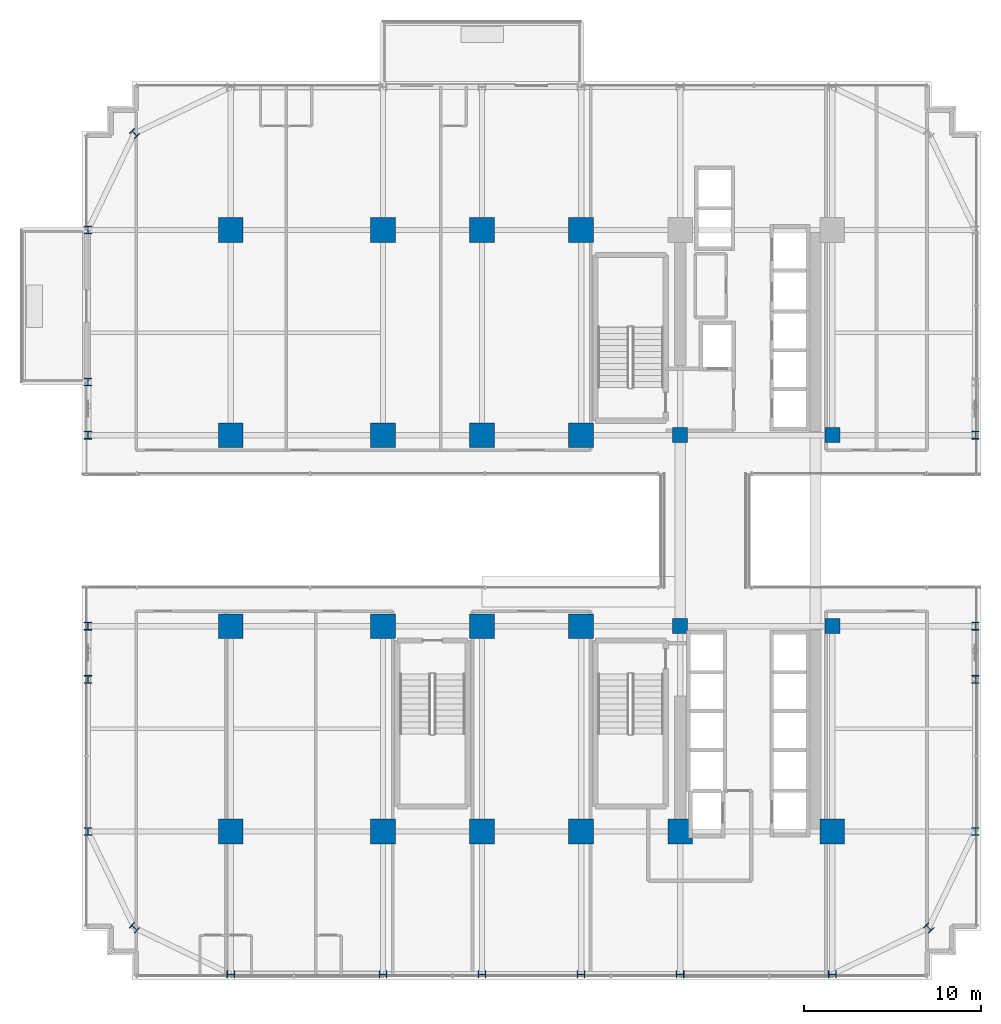
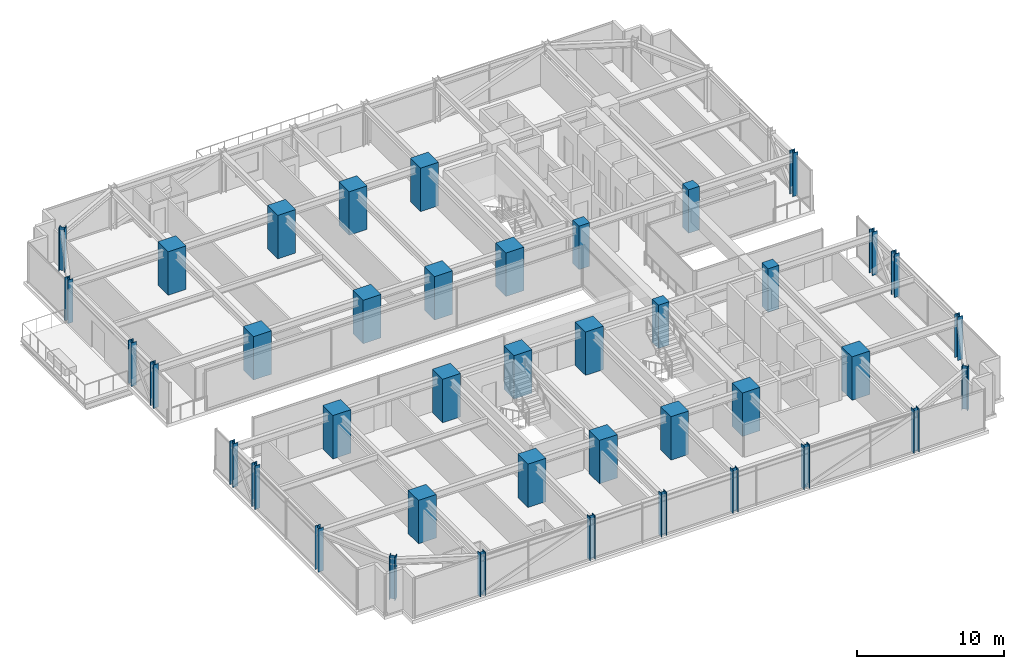
# One storey, part 1 of 43: 41 columns.
"""IFC4 building model written with IfcOpenShell, lengths in metres."""

from ifc_helpers import new_model, si_unit, direction, frame, origin, origin_2d, place, context, subcontext, project, spatial, rectangle, i_section, extrude, source, transform, mapped, material, material_profile, profile_set, type_object, element, save


model = new_model("IFC4")

# Units and contexts
model_context = context("Model", 3, precision=1e-05, world=origin(), true_north=direction((0.0, 1.0)))
body_context = subcontext(model_context, "Body", "Model", "MODEL_VIEW")
ifc_project = project(units=[si_unit("LENGTHUNIT", "METRE"), si_unit("AREAUNIT", "SQUARE_METRE"), si_unit("VOLUMEUNIT", "CUBIC_METRE"), si_unit("PLANEANGLEUNIT", "RADIAN"), si_unit("MASSUNIT", "GRAM", prefix="KILO")], contexts=[model_context])

# Site, building, storey
site_placement = place(None, origin())
site = spatial("IfcSite", under=ifc_project, at=site_placement, CompositionType="ELEMENT")
building_placement = place(site_placement, origin())
building = spatial("IfcBuilding", under=site, at=building_placement, Name="Nahalor Promenade Grand Hotel", CompositionType="ELEMENT")
storey_placement = place(building_placement, frame((0.0, 0.0, 47.0)))
storey = spatial("IfcBuildingStorey", under=building, at=storey_placement, Name="L10", CompositionType="ELEMENT", Elevation=47.0)

# Columns
ifc_material_1 = material(Name="Concrete B-70 (C60/75)", Category="concrete")
ifc_material_profile_1 = material_profile(ifc_material_1, rectangle(XDim=1.4, YDim=1.4, at=origin_2d()), Name="RC 1400x1400")
ifc_profile_set_1 = profile_set([ifc_material_profile_1], Name="Concrete B-70 (C60/75)")
column_type_1 = type_object("IfcColumnType", Name="Col-RC-1400", PredefinedType="COLUMN", material=ifc_profile_set_1)
shared_shape_1 = source(origin(), body_context, "Body", "SweptSolid", [
    extrude(rectangle(XDim=1.4, YDim=1.4, at=origin_2d()), origin(), (0.0, 0.0, 1.0), 3.60498046875),
])
for number, where, z_axis, x_axis, name in (
    (1, (-17.0, -17.0, 0.0), (0.0, 0.0, 1.0), (1.0, 0.0, 0.0), "COL-L10-I00"),
    (2, (-17.0, -5.39990234375, 0.0), (0.0, 0.0, 1.0), (1.0, 0.0, 0.0), "COL-L10-I01"),
    (3, (-17.0, 5.39990234375, 0.0), (0.0, 0.0, 1.0), (1.0, 0.0, 0.0), "COL-L10-I02"),
    (4, (-17.0, 17.0, 0.0), (0.0, 0.0, 1.0), (1.0, 0.0, 0.0), "COL-L10-I03"),
    (5, (-8.39990234375, -17.0, 0.0), (0.0, 0.0, 1.0), (1.0, 0.0, 0.0), "COL-L10-I10"),
    (6, (-8.39990234375, -5.39990234375, 0.0), (0.0, 0.0, 1.0), (1.0, 0.0, 0.0), "COL-L10-I11"),
    (7, (-8.39990234375, 5.39990234375, 0.0), (0.0, 0.0, 1.0), (1.0, 0.0, 0.0), "COL-L10-I12"),
    (8, (-8.39990234375, 17.0, 0.0), (0.0, 0.0, 1.0), (1.0, 0.0, 0.0), "COL-L10-I13"),
    (9, (-2.800048828125, -17.0, 0.0), (0.0, 0.0, 1.0), (1.0, 0.0, 0.0), "COL-L10-I20"),
    (10, (-2.800048828125, -5.39990234375, 0.0), (0.0, 0.0, 1.0), (1.0, 0.0, 0.0), "COL-L10-I21"),
    (11, (-2.800048828125, 5.39990234375, 0.0), (0.0, 0.0, 1.0), (1.0, 0.0, 0.0), "COL-L10-I22"),
    (12, (-2.800048828125, 17.0, 0.0), (0.0, 0.0, 1.0), (1.0, 0.0, 0.0), "COL-L10-I23"),
    (13, (2.800048828125, -17.0, 0.0), (0.0, 0.0, 1.0), (1.0, 0.0, 0.0), "COL-L10-I30"),
    (14, (2.800048828125, -5.39990234375, 0.0), (0.0, 0.0, 1.0), (1.0, 0.0, 0.0), "COL-L10-I31"),
    (15, (2.800048828125, 5.39990234375, 0.0), (0.0, 0.0, 1.0), (1.0, 0.0, 0.0), "COL-L10-I32"),
    (16, (2.800048828125, 17.0, 0.0), (0.0, 0.0, 1.0), (1.0, 0.0, 0.0), "COL-L10-I33"),
    (17, (8.39990234375, -17.0, 0.0), (0.0, 0.0, 1.0), (1.0, 0.0, 0.0), "COL-L10-I40"),
    (18, (17.0, -17.0, 0.0), (0.0, 0.0, 1.0), (1.0, 0.0, 0.0), "COL-L10-I50"),
):
    element("IfcColumn", number, at=place(storey_placement, frame(where, z_axis=z_axis, x_axis=x_axis)), inside=storey, type_object=column_type_1, Name=name, PredefinedType="COLUMN", context=body_context, shape_type="MappedRepresentation", body=[
        mapped(shared_shape_1, transform((0.0, 0.0, 0.0), scale=1.0)),
    ])
ifc_material_profile_2 = material_profile(ifc_material_1, rectangle(XDim=0.85, YDim=0.85, at=origin_2d()), Name="RC 850x850")
ifc_profile_set_2 = profile_set([ifc_material_profile_2], Name="Concrete B-70 (C60/75)")
column_type_2 = type_object("IfcColumnType", Name="Col-Pilaster-850", PredefinedType="PILASTER", material=ifc_profile_set_2)
shared_shape_2 = source(origin(), body_context, "Body", "SweptSolid", [
    extrude(rectangle(XDim=0.85, YDim=0.85, at=origin_2d()), origin(), (0.0, 0.0, 1.0), 3.60498046875),
])
for number, where, z_axis, x_axis, name in (
    (19, (8.39990234375, -5.39990234375, 0.0), (0.0, 0.0, 1.0), (1.0, 0.0, 0.0), "COL-L10-I41"),
    (20, (8.39990234375, 5.39990234375, 0.0), (0.0, 0.0, 1.0), (1.0, 0.0, 0.0), "COL-L10-I42"),
    (21, (17.0, -5.39990234375, 0.0), (0.0, 0.0, 1.0), (1.0, 0.0, 0.0), "COL-L10-I51"),
    (22, (17.0, 5.39990234375, 0.0), (0.0, 0.0, 1.0), (1.0, 0.0, 0.0), "COL-L10-I52"),
):
    element("IfcColumn", number, at=place(storey_placement, frame(where, z_axis=z_axis, x_axis=x_axis)), inside=storey, type_object=column_type_2, Name=name, PredefinedType="PILASTER", context=body_context, shape_type="MappedRepresentation", body=[
        mapped(shared_shape_2, transform((0.0, 0.0, 0.0), scale=1.0)),
    ])
ifc_material_2 = material(Name="Steel S355J2", Category="steel")
ifc_material_profile_3 = material_profile(ifc_material_2, i_section(OverallWidth=0.412, OverallDepth=0.438, WebThickness=0.0226, FlangeThickness=0.0365, at=origin_2d()), Name="HD 400x463")
ifc_profile_set_3 = profile_set([ifc_material_profile_3], Name="Steel S355J2")
column_type_3 = type_object("IfcColumnType", Name="Col-Steel-HD463", PredefinedType="COLUMN", material=ifc_profile_set_3)
shared_shape_3 = source(origin(), body_context, "Body", "SweptSolid", [
    extrude(i_section(OverallWidth=0.412, OverallDepth=0.438, WebThickness=0.0226, FlangeThickness=0.0365, at=origin_2d()), origin(), (0.0, 0.0, 1.0), 3.60498046875),
])
for number, where, z_axis, x_axis, name in (
    (23, (-25.080078125, -17.0, 0.0), (0.0, 0.0, 1.0), (1.0, 0.0, 0.0), "COL-L10-PW-W0"),
    (24, (25.080078125, -17.0, 0.0), (0.0, 0.0, 1.0), (1.0, 0.0, 0.0), "COL-L10-PW-E0"),
    (25, (-25.080078125, -8.39990234375, 0.0), (0.0, 0.0, 1.0), (1.0, 0.0, 0.0), "COL-L10-PW-W1"),
    (26, (25.080078125, -8.39990234375, 0.0), (0.0, 0.0, 1.0), (1.0, 0.0, 0.0), "COL-L10-PW-E1"),
    (27, (-25.080078125, -5.39990234375, 0.0), (0.0, 0.0, 1.0), (1.0, 0.0, 0.0), "COL-L10-PW-W2"),
    (28, (25.080078125, -5.39990234375, 0.0), (0.0, 0.0, 1.0), (1.0, 0.0, 0.0), "COL-L10-PW-E2"),
    (29, (-25.080078125, 5.39990234375, 0.0), (0.0, 0.0, 1.0), (1.0, 0.0, 0.0), "COL-L10-PW-W3"),
    (30, (25.080078125, 5.39990234375, 0.0), (0.0, 0.0, 1.0), (1.0, 0.0, 0.0), "COL-L10-PW-E3"),
    (31, (-25.080078125, 8.39990234375, 0.0), (0.0, 0.0, 1.0), (1.0, 0.0, 0.0), "COL-L10-PW-W4"),
    (32, (-25.080078125, 17.0, 0.0), (0.0, 0.0, 1.0), (1.0, 0.0, 0.0), "COL-L10-PW-W5"),
    (33, (-17.0, -25.080078125, 0.0), (0.0, 0.0, 1.0), (0.0, 1.0, 0.0), "COL-L10-PN-S0"),
    (34, (-8.39990234375, -25.080078125, 0.0), (0.0, 0.0, 1.0), (0.0, 1.0, 0.0), "COL-L10-PN-S1"),
    (35, (-2.800048828125, -25.080078125, 0.0), (0.0, 0.0, 1.0), (0.0, 1.0, 0.0), "COL-L10-PN-S2"),
    (36, (2.800048828125, -25.080078125, 0.0), (0.0, 0.0, 1.0), (0.0, 1.0, 0.0), "COL-L10-PN-S3"),
    (37, (8.39990234375, -25.080078125, 0.0), (0.0, 0.0, 1.0), (0.0, 1.0, 0.0), "COL-L10-PN-S4"),
    (38, (17.0, -25.080078125, 0.0), (0.0, 0.0, 1.0), (0.0, 1.0, 0.0), "COL-L10-PN-S5"),
    (39, (-22.449951171875, -22.449951171875, 0.0), (0.0, 0.0, 1.0), (0.707106781187, 0.707106781187, 0.0), "COL-L10-CRN-SW"),
    (40, (-22.449951171875, 22.449951171875, 0.0), (0.0, 0.0, 1.0), (0.707106781187, 0.707106781187, 0.0), "COL-L10-CRN-NW"),
    (41, (22.449951171875, -22.449951171875, 0.0), (0.0, 0.0, 1.0), (0.707106781187, 0.707106781187, 0.0), "COL-L10-CRN-SE"),
):
    element("IfcColumn", number, at=place(storey_placement, frame(where, z_axis=z_axis, x_axis=x_axis)), inside=storey, type_object=column_type_3, Name=name, PredefinedType="COLUMN", context=body_context, shape_type="MappedRepresentation", body=[
        mapped(shared_shape_3, transform((0.0, 0.0, 0.0), scale=1.0)),
    ])

save(model, "model.ifc")
